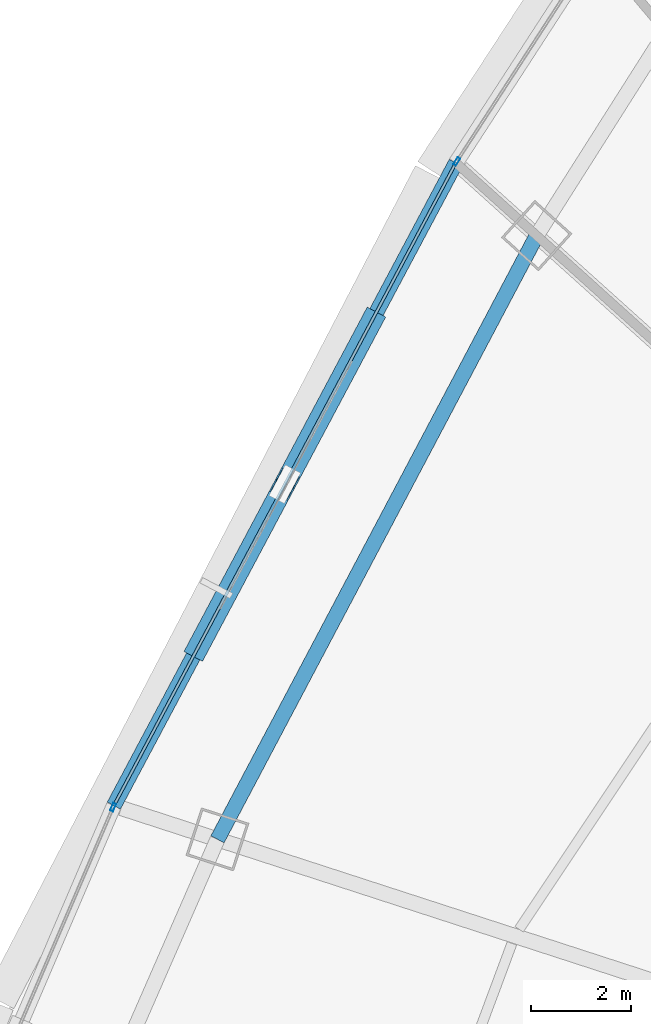
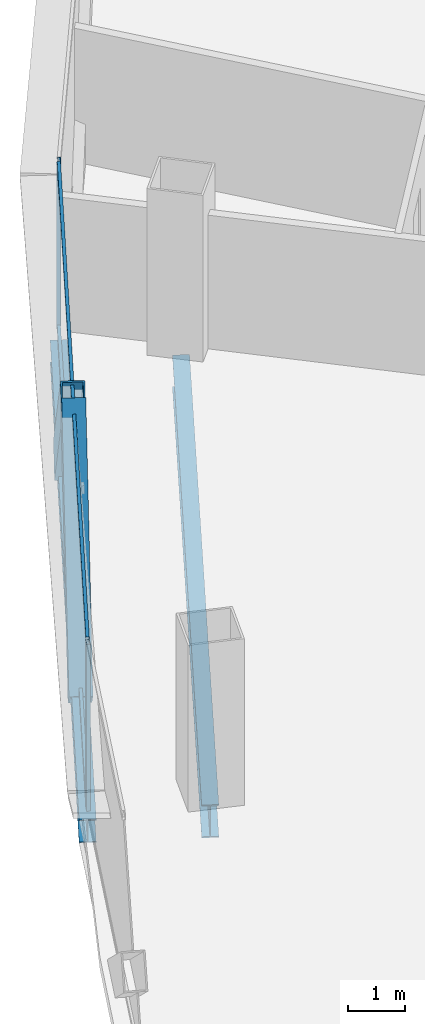
# One storey, part 14 of 37: 6 members, 2 beams, 3 elements without a shape of their own.
"""IFC4 building model written with IfcOpenShell, lengths in metres."""

from ifc_helpers import new_model, si_unit, direction, frame, origin, origin_2d, place, context, subcontext, project, spatial, hollow_rectangle, i_section, extrude, source, transform, mapped, material, layer, layer_set, material_profile, profile_set, type_object, element, aggregate, save


model = new_model("IFC4")

# Units and contexts
model_context = context("Model", 3, precision=1e-05, world=origin(), true_north=direction((0.0, 1.0)))
body_context = subcontext(model_context, "Body", "Model", "MODEL_VIEW")
ifc_project = project(units=[si_unit("LENGTHUNIT", "METRE"), si_unit("AREAUNIT", "SQUARE_METRE"), si_unit("VOLUMEUNIT", "CUBIC_METRE"), si_unit("PLANEANGLEUNIT", "RADIAN"), si_unit("MASSUNIT", "GRAM", prefix="KILO"), si_unit("THERMODYNAMICTEMPERATUREUNIT", "KELVIN"), si_unit("POWERUNIT", "WATT")], contexts=[model_context])

# Site, building, storey
site_placement = place(None, origin())
site = spatial("IfcSite", under=ifc_project, at=site_placement, CompositionType="ELEMENT")
building_placement = place(site_placement, origin())
building = spatial("IfcBuilding", under=site, at=building_placement, Name="Yunzhuo Pagoda Commons", CompositionType="ELEMENT")
storey_placement = place(building_placement, frame((0.0, 0.0, 84.97998046875)))
storey = spatial("IfcBuildingStorey", under=building, at=storey_placement, Name="L21", CompositionType="ELEMENT", Elevation=84.97998046875)

# Beams
ifc_material_1 = material(Name="Structural steel Q355B", Category="steel")
ifc_material_profile_1 = material_profile(ifc_material_1, i_section(OverallWidth=0.300048828125, OverallDepth=0.488037109375, WebThickness=0.010986328125, FlangeThickness=0.01806640625, at=origin_2d()), Name="Structural steel Q355B")
ifc_profile_set_1 = profile_set([ifc_material_profile_1], Name="Structural steel Q355B")
beam_type_1 = type_object("IfcBeamType", Name="B-SP1 Beam HM 488x300x11x18", PredefinedType="BEAM", material=ifc_profile_set_1)
shared_shape_1 = source(origin(), body_context, "Body", "SweptSolid", [
    extrude(i_section(OverallWidth=0.300048828125, OverallDepth=0.488037109375, WebThickness=0.010986328125, FlangeThickness=0.01806640625, at=origin_2d()), origin(), (0.0, 0.0, 1.0), 14.572265625),
])
beam_1_placement = place(storey_placement, frame((21.7802734375, 57.308349609375, -0.50390625), z_axis=(-0.46974105662, -0.882804247682, 0.0), x_axis=(0.882804247682, -0.46974105662, 0.0)))
element("IfcBeam", 1, at=beam_1_placement, inside=storey, type_object=beam_type_1, Name="L21 facade edge spandrel beam F3.2", PredefinedType="BEAM", context=body_context, shape_type="MappedRepresentation", body=[
    mapped(shared_shape_1, transform((0.0, 0.0, 0.0), scale=1.0)),
])
ifc_material_profile_2 = material_profile(ifc_material_1, i_section(OverallWidth=0.300048828125, OverallDepth=0.699951171875, WebThickness=0.012939453125, FlangeThickness=0.02392578125, at=origin_2d()), Name="Structural steel Q355B")
ifc_profile_set_2 = profile_set([ifc_material_profile_2], Name="Structural steel Q355B")
beam_type_2 = type_object("IfcBeamType", Name="B-RG1 Beam HN 700x300x13x24", PredefinedType="BEAM", material=ifc_profile_set_2)
shared_shape_2 = source(origin(), body_context, "Body", "SweptSolid", [
    extrude(i_section(OverallWidth=0.300048828125, OverallDepth=0.699951171875, WebThickness=0.012939453125, FlangeThickness=0.02392578125, at=origin_2d()), origin(), (0.0, 0.0, 1.0), 13.66748046875),
])
beam_2_placement = place(storey_placement, frame((23.397216796875, 55.852294921875, -0.60986328125), z_axis=(-0.467383716456, -0.88405455804, 0.0), x_axis=(0.88405455804, -0.467383716456, 0.0)))
element("IfcBeam", 2, at=beam_2_placement, inside=storey, type_object=beam_type_2, Name="L21 column-ring beam 10", PredefinedType="BEAM", context=body_context, shape_type="MappedRepresentation", body=[
    mapped(shared_shape_2, transform((0.0, 0.0, 0.0), scale=1.0)),
])

# Members
ifc_material_2 = material(Name="Structural steel Q420B", Category="steel")
ifc_material_profile_3 = material_profile(ifc_material_2, hollow_rectangle(XDim=0.419921875, YDim=0.719970703125, WallThickness=0.028076171875, at=origin_2d()), Name="Structural steel Q420B")
ifc_profile_set_3 = profile_set([ifc_material_profile_3], Name="Structural steel Q420B")
member_type_1 = type_object("IfcMemberType", Name="M-DL1 Brace BOX 720x420x28", PredefinedType="BRACE", material=ifc_profile_set_3)
shared_shape_3 = source(origin(), body_context, "Body", "SweptSolid", [
    extrude(hollow_rectangle(XDim=0.419921875, YDim=0.719970703125, WallThickness=0.028076171875, at=origin_2d()), origin(), (0.0, 0.0, 1.0), 5.2646484375),
])
for number, where, z_axis, x_axis, name in (
    (3, (20.06884765625, 54.09228515625, -0.260009765625), (-0.32508280737, -0.610933081925, 0.72186005414), (0.882801443113, -0.469746327328, 0.0), "L21 facade diamond brace F3.2L"),
    (4, (16.64599609375, 47.65966796875, -0.260009765625), (0.32508280737, 0.610933081925, 0.72186005414), (-0.882801443113, 0.469746327328, 0.0), "L21 facade diamond brace F3.2R"),
):
    element("IfcMember", number, at=place(storey_placement, frame(where, z_axis=z_axis, x_axis=x_axis)), inside=storey, type_object=member_type_1, Name=name, PredefinedType="BRACE", context=body_context, shape_type="MappedRepresentation", body=[
        mapped(shared_shape_3, transform((0.0, 0.0, 0.0), scale=1.0)),
    ])

# Curtain wall, member
ifc_material_3 = material(Name="Anodized aluminium 6063-T6", Category="aluminium")
ifc_layer = layer(ifc_material_3, 0.1650390625)
ifc_layer_set = layer_set([ifc_layer], Name="Anodized aluminium 6063-T6")
curtain_wall_type = type_object("IfcCurtainWallType", Name="CW-LOW Low-Zone Ribbon Curtain Wall", PredefinedType="NOTDEFINED", material=ifc_layer_set)
curtain_wall_1_placement = place(storey_placement, origin())
curtain_wall_1 = element("IfcCurtainWall", 5, at=curtain_wall_1_placement, inside=storey, type_object=curtain_wall_type, Name="L21 curtain wall CW-L21-F3B2", PredefinedType="NOTDEFINED")
ifc_material_profile_4 = material_profile(ifc_material_3, hollow_rectangle(XDim=0.06494140625, YDim=0.1650390625, WallThickness=0.00390625, at=origin_2d()), Name="Anodized aluminium 6063-T6")
ifc_profile_set_4 = profile_set([ifc_material_profile_4], Name="Anodized aluminium 6063-T6")
member_type_2 = type_object("IfcMemberType", Name="CW-LOW-M Mullion RHS 165x65x4", PredefinedType="MULLION", material=ifc_profile_set_4)
shared_shape_4 = source(origin(), body_context, "Body", "SweptSolid", [
    extrude(hollow_rectangle(XDim=0.06494140625, YDim=0.1650390625, WallThickness=0.00390625, at=origin_2d()), origin(), (0.0, 0.0, 1.0), 3.5400390625),
])
member_1_placement = place(storey_placement, frame((21.7978515625, 57.335693359375, 0.000244140625), z_axis=(0.0, 0.0, 1.0), x_axis=(0.838906636672, -0.544275348466, 0.0)))
member_1 = element("IfcMember", 6, at=member_1_placement, type_object=member_type_2, Name="CW mullion 2", PredefinedType="MULLION", context=body_context, shape_type="MappedRepresentation", body=[
    mapped(shared_shape_4, transform((0.0, 0.0, 0.0), scale=1.0)),
])
aggregate(curtain_wall_1, [member_1])

curtain_wall_2_placement = place(storey_placement, origin())
curtain_wall_2 = element("IfcCurtainWall", 7, at=curtain_wall_2_placement, inside=storey, type_object=curtain_wall_type, Name="L21 curtain wall CW-L21-F3B4", PredefinedType="NOTDEFINED")
member_2_placement = place(storey_placement, frame((14.922119140625, 44.41357421875, 0.000244140625), z_axis=(0.0, 0.0, 1.0), x_axis=(0.919250024103, -0.39367422215, 0.0)))
member_2 = element("IfcMember", 8, at=member_2_placement, type_object=member_type_2, Name="CW mullion 1", PredefinedType="MULLION", context=body_context, shape_type="MappedRepresentation", body=[
    mapped(shared_shape_4, transform((0.0, 0.0, 0.0), scale=1.0)),
])
aggregate(curtain_wall_2, [member_2])

# Curtain wall, members
curtain_wall_3_placement = place(storey_placement, origin())
curtain_wall_3 = element("IfcCurtainWall", 9, at=curtain_wall_3_placement, inside=storey, type_object=curtain_wall_type, Name="L21 curtain wall CW-L21-F3B3", PredefinedType="NOTDEFINED")
ifc_material_profile_5 = material_profile(ifc_material_3, hollow_rectangle(XDim=0.06005859375, YDim=0.139892578125, WallThickness=0.00341796875, at=origin_2d()), Name="Anodized aluminium 6063-T6")
ifc_profile_set_5 = profile_set([ifc_material_profile_5], Name="Anodized aluminium 6063-T6")
member_type_3 = type_object("IfcMemberType", Name="CW-LOW-T Transom RHS 140x60x3.5", PredefinedType="USERDEFINED", material=ifc_profile_set_5)
shared_shape_5 = source(origin(), body_context, "Body", "SweptSolid", [
    extrude(hollow_rectangle(XDim=0.06005859375, YDim=0.139892578125, WallThickness=0.00341796875, at=origin_2d()), origin(), (0.0, 0.0, 1.0), 14.442626953125),
])
member_3_placement = place(storey_placement, frame((21.749755859375, 57.2509765625, 0.030029296875), z_axis=(-0.46974837333, -0.882800354414, 0.0), x_axis=(0.882800354414, -0.46974837333, 0.0)))
member_3 = element("IfcMember", 10, at=member_3_placement, type_object=member_type_3, Name="CW transom 1.1", ObjectType="TRANSOM", PredefinedType="USERDEFINED", context=body_context, shape_type="MappedRepresentation", body=[
    mapped(shared_shape_5, transform((0.0, 0.0, 0.0), scale=1.0)),
])
member_4_placement = place(storey_placement, frame((21.749755859375, 57.2509765625, 3.510009765625), z_axis=(-0.46974837333, -0.882800354414, 0.0), x_axis=(0.882800354414, -0.46974837333, 0.0)))
member_4 = element("IfcMember", 11, at=member_4_placement, type_object=member_type_3, Name="CW transom 1.2", ObjectType="TRANSOM", PredefinedType="USERDEFINED", context=body_context, shape_type="MappedRepresentation", body=[
    mapped(shared_shape_5, transform((0.0, 0.0, 0.0), scale=1.0)),
])
aggregate(curtain_wall_3, [member_3, member_4])

save(model, "model.ifc")
